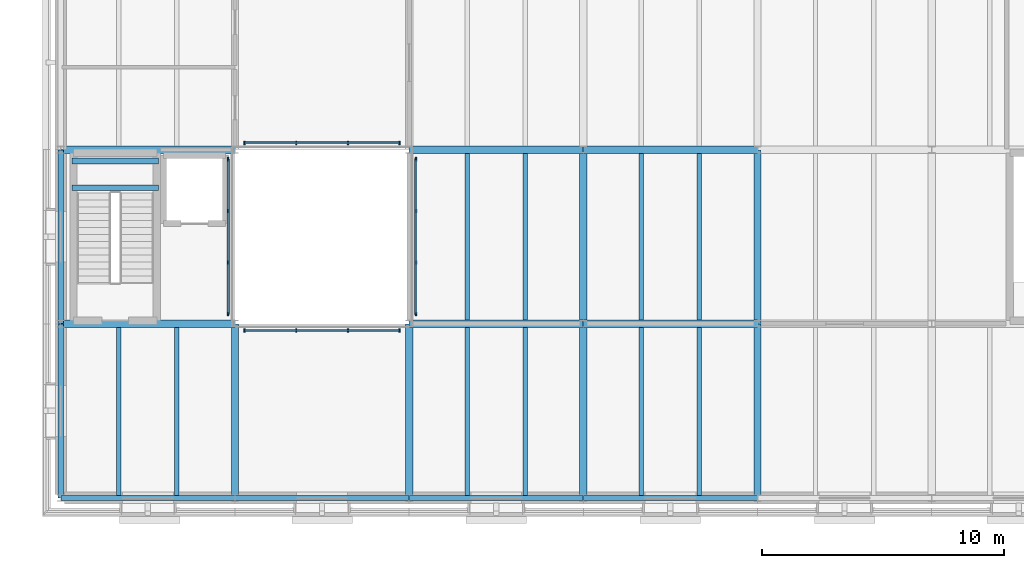
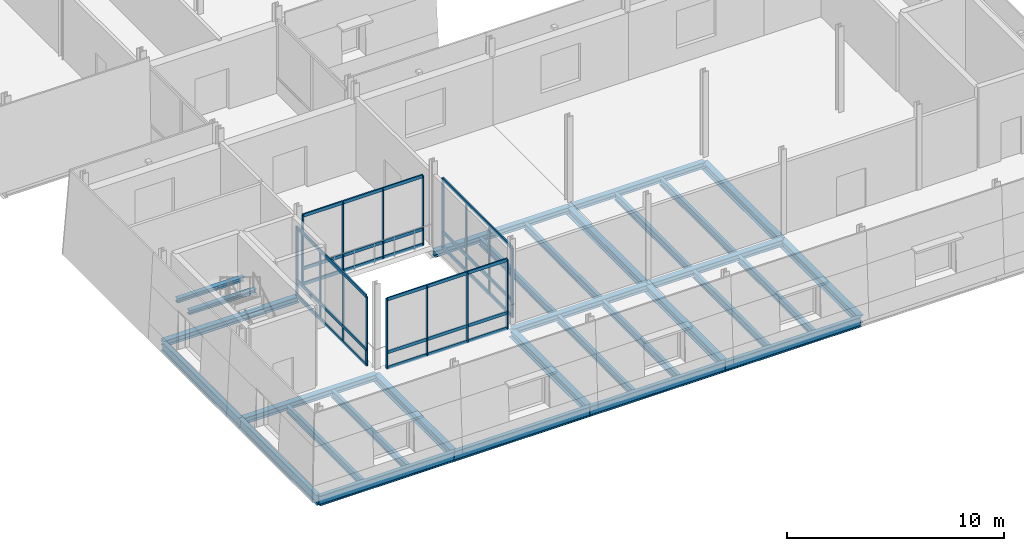
# One storey, part 22 of 121: 30 beams, 28 members, 4 elements without a shape of their own.
"""IFC4 building model written with IfcOpenShell, lengths in metres."""

from ifc_helpers import new_model, si_unit, direction, frame, origin, origin_2d, place, context, subcontext, project, spatial, rectangle, i_section, extrude, material, layer, layer_set, material_profile, profile_set, type_object, element, aggregate, save


model = new_model("IFC4")

# Units and contexts
model_context = context("Model", 3, precision=1e-05, world=origin(), true_north=direction((0.0, 1.0)))
body_context = subcontext(model_context, "Body", "Model", "MODEL_VIEW")
ifc_project = project(units=[si_unit("LENGTHUNIT", "METRE"), si_unit("AREAUNIT", "SQUARE_METRE"), si_unit("VOLUMEUNIT", "CUBIC_METRE"), si_unit("PLANEANGLEUNIT", "RADIAN"), si_unit("MASSUNIT", "GRAM", prefix="KILO")], contexts=[model_context])

# Site, building, storey
site_placement = place(None, origin())
site = spatial("IfcSite", under=ifc_project, at=site_placement, CompositionType="ELEMENT")
building_placement = place(site_placement, origin())
building = spatial("IfcBuilding", under=site, at=building_placement, Name="Narikvali Park Central Library", CompositionType="ELEMENT")
storey_placement = place(building_placement, frame((0.0, 0.0, 5.39990234375)))
storey = spatial("IfcBuildingStorey", under=building, at=storey_placement, Name="L01", CompositionType="ELEMENT", Elevation=5.39990234375)

# Beams
ifc_material_1 = material(Name="Steel S355", Category="steel")
ifc_material_profile_1 = material_profile(ifc_material_1, i_section(OverallWidth=0.179931640625, OverallDepth=0.39990234375, WebThickness=0.008544921875, FlangeThickness=0.013427734375, FilletRadius=0.02099609375, at=origin_2d()), Name="IPE 400")
ifc_profile_set_1 = profile_set([ifc_material_profile_1], Name="Steel S355")
beam_type_1 = type_object("IfcBeamType", Name="Composite Floor Joist IPE400", PredefinedType="JOIST", material=ifc_profile_set_1)
for number, where, z_axis, x_axis, name in (
    (1, (2.39990234375, 0.10498046875, -0.47998046875), (0.0, 1.0, 0.0), (-1.0, 0.0, 0.0), "V2 L01 Composite Joist 1"),
    (2, (4.800048828125, 0.10498046875, -0.47998046875), (0.0, 1.0, 0.0), (-1.0, 0.0, 0.0), "V2 L01 Composite Joist 2"),
    (3, (16.800048828125, 0.10498046875, -0.47998046875), (0.0, 1.0, 0.0), (-1.0, 0.0, 0.0), "V2 L01 Composite Joist 1"),
    (4, (19.199951171875, 0.10498046875, -0.47998046875), (0.0, 1.0, 0.0), (-1.0, 0.0, 0.0), "V2 L01 Composite Joist 2"),
):
    element("IfcBeam", number, at=place(storey_placement, frame(where, z_axis=z_axis, x_axis=x_axis)), inside=storey, type_object=beam_type_1, Name=name, PredefinedType="JOIST", context=body_context, shape_type="SweptSolid", body=[
        extrude(i_section(OverallWidth=0.179931640625, OverallDepth=0.39990234375, WebThickness=0.008544921875, FlangeThickness=0.013427734375, FilletRadius=0.02099609375, at=origin_2d()), origin(), (0.0, 0.0, 1.0), 6.945068359375),
    ])
for number, where, z_axis, x_axis, name in (
    (5, (16.800048828125, 7.35009765625, -0.47998046875), (0.0, 1.0, 0.0), (-1.0, 0.0, 0.0), "V2 L01 Composite Joist 1"),
    (6, (19.199951171875, 7.35009765625, -0.47998046875), (0.0, 1.0, 0.0), (-1.0, 0.0, 0.0), "V2 L01 Composite Joist 2"),
):
    element("IfcBeam", number, at=place(storey_placement, frame(where, z_axis=z_axis, x_axis=x_axis)), inside=storey, type_object=beam_type_1, Name=name, PredefinedType="JOIST", context=body_context, shape_type="SweptSolid", body=[
        extrude(i_section(OverallWidth=0.179931640625, OverallDepth=0.39990234375, WebThickness=0.008544921875, FlangeThickness=0.013427734375, FilletRadius=0.02099609375, at=origin_2d()), origin(), (0.0, 0.0, 1.0), 6.89990234375),
    ])
for number, where, z_axis, x_axis, name in (
    (7, (24.0, 0.10498046875, -0.47998046875), (0.0, 1.0, 0.0), (-1.0, 0.0, 0.0), "V2 L01 Composite Joist 1"),
    (8, (26.39990234375, 0.10498046875, -0.47998046875), (0.0, 1.0, 0.0), (-1.0, 0.0, 0.0), "V2 L01 Composite Joist 2"),
):
    element("IfcBeam", number, at=place(storey_placement, frame(where, z_axis=z_axis, x_axis=x_axis)), inside=storey, type_object=beam_type_1, Name=name, PredefinedType="JOIST", context=body_context, shape_type="SweptSolid", body=[
        extrude(i_section(OverallWidth=0.179931640625, OverallDepth=0.39990234375, WebThickness=0.008544921875, FlangeThickness=0.013427734375, FilletRadius=0.02099609375, at=origin_2d()), origin(), (0.0, 0.0, 1.0), 6.945068359375),
    ])
for number, where, z_axis, x_axis, name in (
    (9, (24.0, 7.35009765625, -0.47998046875), (0.0, 1.0, 0.0), (-1.0, 0.0, 0.0), "V2 L01 Composite Joist 1"),
    (10, (26.39990234375, 7.35009765625, -0.47998046875), (0.0, 1.0, 0.0), (-1.0, 0.0, 0.0), "V2 L01 Composite Joist 2"),
):
    element("IfcBeam", number, at=place(storey_placement, frame(where, z_axis=z_axis, x_axis=x_axis)), inside=storey, type_object=beam_type_1, Name=name, PredefinedType="JOIST", context=body_context, shape_type="SweptSolid", body=[
        extrude(i_section(OverallWidth=0.179931640625, OverallDepth=0.39990234375, WebThickness=0.008544921875, FlangeThickness=0.013427734375, FilletRadius=0.02099609375, at=origin_2d()), origin(), (0.0, 0.0, 1.0), 6.89990234375),
    ])

# Curtain wall, members
ifc_material_2 = material(Name="Anodised Bronze Aluminium", Category="aluminium")
ifc_layer = layer(ifc_material_2, 0.219970703125, Name="Anodised Bronze Aluminium")
ifc_layer_set = layer_set([ifc_layer], Name="Anodised Bronze Aluminium")
curtain_wall_type = type_object("IfcCurtainWallType", Name="Atrium Tall Curtain Wall System", PredefinedType="NOTDEFINED", material=ifc_layer_set)
curtain_wall_1_placement = place(storey_placement, origin())
curtain_wall_1 = element("IfcCurtainWall", 11, at=curtain_wall_1_placement, inside=storey, type_object=curtain_wall_type, Name="Atrium Tall Curtain Wall System CW-INT-V2-L01-W1", PredefinedType="NOTDEFINED")
ifc_material_profile_2 = material_profile(ifc_material_2, rectangle(XDim=0.074951171875, YDim=0.179931640625, at=origin_2d()), Name="CW TRANSOM 75x180")
ifc_profile_set_2 = profile_set([ifc_material_profile_2], Name="Anodised Bronze Aluminium")
member_type_1 = type_object("IfcMemberType", Name="Curtain Wall Heavy Transom 75x180", PredefinedType="USERDEFINED", material=ifc_profile_set_2)
member_1_placement = place(storey_placement, frame((6.919921875, 7.60009765625, 0.030029296875), z_axis=(0.0, 1.0, 0.0), x_axis=(-1.0, 0.0, 0.0)))
member_1 = element("IfcMember", 12, at=member_1_placement, type_object=member_type_1, Name="CW-INT-V2-L01-W1 Transom 00", ObjectType="TRANSOM", PredefinedType="USERDEFINED", context=body_context, shape_type="SweptSolid", body=[
    extrude(rectangle(XDim=0.074951171875, YDim=0.179931640625, at=origin_2d()), origin(), (0.0, 0.0, 1.0), 6.39990234375),
])
member_2_placement = place(storey_placement, frame((6.919921875, 7.60009765625, 0.900146484375), z_axis=(0.0, 1.0, 0.0), x_axis=(-1.0, 0.0, 0.0)))
member_2 = element("IfcMember", 13, at=member_2_placement, type_object=member_type_1, Name="CW-INT-V2-L01-W1 Transom 01", ObjectType="TRANSOM", PredefinedType="USERDEFINED", context=body_context, shape_type="SweptSolid", body=[
    extrude(rectangle(XDim=0.074951171875, YDim=0.179931640625, at=origin_2d()), origin(), (0.0, 0.0, 1.0), 6.39990234375),
])
member_3_placement = place(storey_placement, frame((6.919921875, 7.60009765625, 3.8701171875), z_axis=(0.0, 1.0, 0.0), x_axis=(-1.0, 0.0, 0.0)))
member_3 = element("IfcMember", 14, at=member_3_placement, type_object=member_type_1, Name="CW-INT-V2-L01-W1 Transom 02", ObjectType="TRANSOM", PredefinedType="USERDEFINED", context=body_context, shape_type="SweptSolid", body=[
    extrude(rectangle(XDim=0.074951171875, YDim=0.179931640625, at=origin_2d()), origin(), (0.0, 0.0, 1.0), 6.39990234375),
])

curtain_wall_2_placement = place(storey_placement, origin())
curtain_wall_2 = element("IfcCurtainWall", 15, at=curtain_wall_2_placement, inside=storey, type_object=curtain_wall_type, Name="Atrium Tall Curtain Wall System CW-INT-V2-L01-E1", PredefinedType="NOTDEFINED")
member_4_placement = place(storey_placement, frame((14.679931640625, 7.60009765625, 0.030029296875), z_axis=(0.0, 1.0, 0.0), x_axis=(-1.0, 0.0, 0.0)))
member_4 = element("IfcMember", 16, at=member_4_placement, type_object=member_type_1, Name="CW-INT-V2-L01-E1 Transom 00", ObjectType="TRANSOM", PredefinedType="USERDEFINED", context=body_context, shape_type="SweptSolid", body=[
    extrude(rectangle(XDim=0.074951171875, YDim=0.179931640625, at=origin_2d()), origin(), (0.0, 0.0, 1.0), 6.39990234375),
])
member_5_placement = place(storey_placement, frame((14.679931640625, 7.60009765625, 0.900146484375), z_axis=(0.0, 1.0, 0.0), x_axis=(-1.0, 0.0, 0.0)))
member_5 = element("IfcMember", 17, at=member_5_placement, type_object=member_type_1, Name="CW-INT-V2-L01-E1 Transom 01", ObjectType="TRANSOM", PredefinedType="USERDEFINED", context=body_context, shape_type="SweptSolid", body=[
    extrude(rectangle(XDim=0.074951171875, YDim=0.179931640625, at=origin_2d()), origin(), (0.0, 0.0, 1.0), 6.39990234375),
])
member_6_placement = place(storey_placement, frame((14.679931640625, 7.60009765625, 3.8701171875), z_axis=(0.0, 1.0, 0.0), x_axis=(-1.0, 0.0, 0.0)))
member_6 = element("IfcMember", 18, at=member_6_placement, type_object=member_type_1, Name="CW-INT-V2-L01-E1 Transom 02", ObjectType="TRANSOM", PredefinedType="USERDEFINED", context=body_context, shape_type="SweptSolid", body=[
    extrude(rectangle(XDim=0.074951171875, YDim=0.179931640625, at=origin_2d()), origin(), (0.0, 0.0, 1.0), 6.39990234375),
])

curtain_wall_3_placement = place(storey_placement, origin())
curtain_wall_3 = element("IfcCurtainWall", 19, at=curtain_wall_3_placement, inside=storey, type_object=curtain_wall_type, Name="Atrium Tall Curtain Wall System CW-INT-V2-L01-N1", PredefinedType="NOTDEFINED")
member_7_placement = place(storey_placement, frame((7.60009765625, 14.679931640625, 0.030029296875), z_axis=(1.0, 0.0, 0.0), x_axis=(0.0, 1.0, 0.0)))
member_7 = element("IfcMember", 20, at=member_7_placement, type_object=member_type_1, Name="CW-INT-V2-L01-N1 Transom 00", ObjectType="TRANSOM", PredefinedType="USERDEFINED", context=body_context, shape_type="SweptSolid", body=[
    extrude(rectangle(XDim=0.074951171875, YDim=0.179931640625, at=origin_2d()), origin(), (0.0, 0.0, 1.0), 6.39990234375),
])
member_8_placement = place(storey_placement, frame((7.60009765625, 14.679931640625, 0.900146484375), z_axis=(1.0, 0.0, 0.0), x_axis=(0.0, 1.0, 0.0)))
member_8 = element("IfcMember", 21, at=member_8_placement, type_object=member_type_1, Name="CW-INT-V2-L01-N1 Transom 01", ObjectType="TRANSOM", PredefinedType="USERDEFINED", context=body_context, shape_type="SweptSolid", body=[
    extrude(rectangle(XDim=0.074951171875, YDim=0.179931640625, at=origin_2d()), origin(), (0.0, 0.0, 1.0), 6.39990234375),
])
member_9_placement = place(storey_placement, frame((7.60009765625, 14.679931640625, 3.8701171875), z_axis=(1.0, 0.0, 0.0), x_axis=(0.0, 1.0, 0.0)))
member_9 = element("IfcMember", 22, at=member_9_placement, type_object=member_type_1, Name="CW-INT-V2-L01-N1 Transom 02", ObjectType="TRANSOM", PredefinedType="USERDEFINED", context=body_context, shape_type="SweptSolid", body=[
    extrude(rectangle(XDim=0.074951171875, YDim=0.179931640625, at=origin_2d()), origin(), (0.0, 0.0, 1.0), 6.39990234375),
])

curtain_wall_4_placement = place(storey_placement, origin())
curtain_wall_4 = element("IfcCurtainWall", 23, at=curtain_wall_4_placement, inside=storey, type_object=curtain_wall_type, Name="Atrium Tall Curtain Wall System CW-INT-V2-L01-S1", PredefinedType="NOTDEFINED")
member_10_placement = place(storey_placement, frame((7.60009765625, 6.919921875, 0.030029296875), z_axis=(1.0, 0.0, 0.0), x_axis=(0.0, 1.0, 0.0)))
member_10 = element("IfcMember", 24, at=member_10_placement, type_object=member_type_1, Name="CW-INT-V2-L01-S1 Transom 00", ObjectType="TRANSOM", PredefinedType="USERDEFINED", context=body_context, shape_type="SweptSolid", body=[
    extrude(rectangle(XDim=0.074951171875, YDim=0.179931640625, at=origin_2d()), origin(), (0.0, 0.0, 1.0), 6.39990234375),
])
member_11_placement = place(storey_placement, frame((7.60009765625, 6.919921875, 0.900146484375), z_axis=(1.0, 0.0, 0.0), x_axis=(0.0, 1.0, 0.0)))
member_11 = element("IfcMember", 25, at=member_11_placement, type_object=member_type_1, Name="CW-INT-V2-L01-S1 Transom 01", ObjectType="TRANSOM", PredefinedType="USERDEFINED", context=body_context, shape_type="SweptSolid", body=[
    extrude(rectangle(XDim=0.074951171875, YDim=0.179931640625, at=origin_2d()), origin(), (0.0, 0.0, 1.0), 6.39990234375),
])
member_12_placement = place(storey_placement, frame((7.60009765625, 6.919921875, 3.8701171875), z_axis=(1.0, 0.0, 0.0), x_axis=(0.0, 1.0, 0.0)))
member_12 = element("IfcMember", 26, at=member_12_placement, type_object=member_type_1, Name="CW-INT-V2-L01-S1 Transom 02", ObjectType="TRANSOM", PredefinedType="USERDEFINED", context=body_context, shape_type="SweptSolid", body=[
    extrude(rectangle(XDim=0.074951171875, YDim=0.179931640625, at=origin_2d()), origin(), (0.0, 0.0, 1.0), 6.39990234375),
])

# Member
ifc_material_profile_3 = material_profile(ifc_material_2, rectangle(XDim=0.06005859375, YDim=0.14990234375, at=origin_2d()), Name="CW MULLION 60x150")
ifc_profile_set_3 = profile_set([ifc_material_profile_3], Name="Anodised Bronze Aluminium")
member_type_2 = type_object("IfcMemberType", Name="Curtain Wall Mullion 60x150", PredefinedType="MULLION", material=ifc_profile_set_3)
member_13_placement = place(storey_placement, frame((6.919921875, 7.60009765625, -0.010009765625), z_axis=(0.0, 0.0, 1.0), x_axis=(1.0, 0.0, 0.0)))
member_13 = element("IfcMember", 27, at=member_13_placement, type_object=member_type_2, Name="CW-INT-V2-L01-W1 Mullion 00", PredefinedType="MULLION", context=body_context, shape_type="SweptSolid", body=[
    extrude(rectangle(XDim=0.06005859375, YDim=0.14990234375, at=origin_2d()), origin(), (0.0, 0.0, 1.0), 3.91015625),
])

member_14_placement = place(storey_placement, frame((6.919921875, 9.7333984375, -0.010009765625), z_axis=(0.0, 0.0, 1.0), x_axis=(1.0, 0.0, 0.0)))
member_14 = element("IfcMember", 28, at=member_14_placement, type_object=member_type_2, Name="CW-INT-V2-L01-W1 Mullion 01", PredefinedType="MULLION", context=body_context, shape_type="SweptSolid", body=[
    extrude(rectangle(XDim=0.06005859375, YDim=0.14990234375, at=origin_2d()), origin(), (0.0, 0.0, 1.0), 3.91015625),
])

member_15_placement = place(storey_placement, frame((6.919921875, 11.86669921875, -0.010009765625), z_axis=(0.0, 0.0, 1.0), x_axis=(1.0, 0.0, 0.0)))
member_15 = element("IfcMember", 29, at=member_15_placement, type_object=member_type_2, Name="CW-INT-V2-L01-W1 Mullion 02", PredefinedType="MULLION", context=body_context, shape_type="SweptSolid", body=[
    extrude(rectangle(XDim=0.06005859375, YDim=0.14990234375, at=origin_2d()), origin(), (0.0, 0.0, 1.0), 3.91015625),
])

member_16_placement = place(storey_placement, frame((6.919921875, 14.0, -0.010009765625), z_axis=(0.0, 0.0, 1.0), x_axis=(1.0, 0.0, 0.0)))
member_16 = element("IfcMember", 30, at=member_16_placement, type_object=member_type_2, Name="CW-INT-V2-L01-W1 Mullion 03", PredefinedType="MULLION", context=body_context, shape_type="SweptSolid", body=[
    extrude(rectangle(XDim=0.06005859375, YDim=0.14990234375, at=origin_2d()), origin(), (0.0, 0.0, 1.0), 3.91015625),
])

aggregate(curtain_wall_1, [member_13, member_14, member_15, member_16, member_1, member_2, member_3])

member_17_placement = place(storey_placement, frame((14.679931640625, 7.60009765625, -0.010009765625), z_axis=(0.0, 0.0, 1.0), x_axis=(1.0, 0.0, 0.0)))
member_17 = element("IfcMember", 31, at=member_17_placement, type_object=member_type_2, Name="CW-INT-V2-L01-E1 Mullion 00", PredefinedType="MULLION", context=body_context, shape_type="SweptSolid", body=[
    extrude(rectangle(XDim=0.06005859375, YDim=0.14990234375, at=origin_2d()), origin(), (0.0, 0.0, 1.0), 3.91015625),
])

member_18_placement = place(storey_placement, frame((14.679931640625, 9.7333984375, -0.010009765625), z_axis=(0.0, 0.0, 1.0), x_axis=(1.0, 0.0, 0.0)))
member_18 = element("IfcMember", 32, at=member_18_placement, type_object=member_type_2, Name="CW-INT-V2-L01-E1 Mullion 01", PredefinedType="MULLION", context=body_context, shape_type="SweptSolid", body=[
    extrude(rectangle(XDim=0.06005859375, YDim=0.14990234375, at=origin_2d()), origin(), (0.0, 0.0, 1.0), 3.91015625),
])

member_19_placement = place(storey_placement, frame((14.679931640625, 11.86669921875, -0.010009765625), z_axis=(0.0, 0.0, 1.0), x_axis=(1.0, 0.0, 0.0)))
member_19 = element("IfcMember", 33, at=member_19_placement, type_object=member_type_2, Name="CW-INT-V2-L01-E1 Mullion 02", PredefinedType="MULLION", context=body_context, shape_type="SweptSolid", body=[
    extrude(rectangle(XDim=0.06005859375, YDim=0.14990234375, at=origin_2d()), origin(), (0.0, 0.0, 1.0), 3.91015625),
])

member_20_placement = place(storey_placement, frame((14.679931640625, 14.0, -0.010009765625), z_axis=(0.0, 0.0, 1.0), x_axis=(1.0, 0.0, 0.0)))
member_20 = element("IfcMember", 34, at=member_20_placement, type_object=member_type_2, Name="CW-INT-V2-L01-E1 Mullion 03", PredefinedType="MULLION", context=body_context, shape_type="SweptSolid", body=[
    extrude(rectangle(XDim=0.06005859375, YDim=0.14990234375, at=origin_2d()), origin(), (0.0, 0.0, 1.0), 3.91015625),
])

aggregate(curtain_wall_2, [member_17, member_18, member_19, member_20, member_4, member_5, member_6])

member_21_placement = place(storey_placement, frame((7.60009765625, 14.679931640625, -0.010009765625), z_axis=(0.0, 0.0, 1.0), x_axis=(1.0, 0.0, 0.0)))
member_21 = element("IfcMember", 35, at=member_21_placement, type_object=member_type_2, Name="CW-INT-V2-L01-N1 Mullion 00", PredefinedType="MULLION", context=body_context, shape_type="SweptSolid", body=[
    extrude(rectangle(XDim=0.06005859375, YDim=0.14990234375, at=origin_2d()), origin(), (0.0, 0.0, 1.0), 3.91015625),
])

member_22_placement = place(storey_placement, frame((9.7333984375, 14.679931640625, -0.010009765625), z_axis=(0.0, 0.0, 1.0), x_axis=(1.0, 0.0, 0.0)))
member_22 = element("IfcMember", 36, at=member_22_placement, type_object=member_type_2, Name="CW-INT-V2-L01-N1 Mullion 01", PredefinedType="MULLION", context=body_context, shape_type="SweptSolid", body=[
    extrude(rectangle(XDim=0.06005859375, YDim=0.14990234375, at=origin_2d()), origin(), (0.0, 0.0, 1.0), 3.91015625),
])

member_23_placement = place(storey_placement, frame((11.86669921875, 14.679931640625, -0.010009765625), z_axis=(0.0, 0.0, 1.0), x_axis=(1.0, 0.0, 0.0)))
member_23 = element("IfcMember", 37, at=member_23_placement, type_object=member_type_2, Name="CW-INT-V2-L01-N1 Mullion 02", PredefinedType="MULLION", context=body_context, shape_type="SweptSolid", body=[
    extrude(rectangle(XDim=0.06005859375, YDim=0.14990234375, at=origin_2d()), origin(), (0.0, 0.0, 1.0), 3.91015625),
])

member_24_placement = place(storey_placement, frame((14.0, 14.679931640625, -0.010009765625), z_axis=(0.0, 0.0, 1.0), x_axis=(1.0, 0.0, 0.0)))
member_24 = element("IfcMember", 38, at=member_24_placement, type_object=member_type_2, Name="CW-INT-V2-L01-N1 Mullion 03", PredefinedType="MULLION", context=body_context, shape_type="SweptSolid", body=[
    extrude(rectangle(XDim=0.06005859375, YDim=0.14990234375, at=origin_2d()), origin(), (0.0, 0.0, 1.0), 3.91015625),
])

aggregate(curtain_wall_3, [member_21, member_22, member_23, member_24, member_7, member_8, member_9])

member_25_placement = place(storey_placement, frame((7.60009765625, 6.919921875, -0.010009765625), z_axis=(0.0, 0.0, 1.0), x_axis=(1.0, 0.0, 0.0)))
member_25 = element("IfcMember", 39, at=member_25_placement, type_object=member_type_2, Name="CW-INT-V2-L01-S1 Mullion 00", PredefinedType="MULLION", context=body_context, shape_type="SweptSolid", body=[
    extrude(rectangle(XDim=0.06005859375, YDim=0.14990234375, at=origin_2d()), origin(), (0.0, 0.0, 1.0), 3.91015625),
])

member_26_placement = place(storey_placement, frame((9.7333984375, 6.919921875, -0.010009765625), z_axis=(0.0, 0.0, 1.0), x_axis=(1.0, 0.0, 0.0)))
member_26 = element("IfcMember", 40, at=member_26_placement, type_object=member_type_2, Name="CW-INT-V2-L01-S1 Mullion 01", PredefinedType="MULLION", context=body_context, shape_type="SweptSolid", body=[
    extrude(rectangle(XDim=0.06005859375, YDim=0.14990234375, at=origin_2d()), origin(), (0.0, 0.0, 1.0), 3.91015625),
])

member_27_placement = place(storey_placement, frame((11.86669921875, 6.919921875, -0.010009765625), z_axis=(0.0, 0.0, 1.0), x_axis=(1.0, 0.0, 0.0)))
member_27 = element("IfcMember", 41, at=member_27_placement, type_object=member_type_2, Name="CW-INT-V2-L01-S1 Mullion 02", PredefinedType="MULLION", context=body_context, shape_type="SweptSolid", body=[
    extrude(rectangle(XDim=0.06005859375, YDim=0.14990234375, at=origin_2d()), origin(), (0.0, 0.0, 1.0), 3.91015625),
])

member_28_placement = place(storey_placement, frame((14.0, 6.919921875, -0.010009765625), z_axis=(0.0, 0.0, 1.0), x_axis=(1.0, 0.0, 0.0)))
member_28 = element("IfcMember", 42, at=member_28_placement, type_object=member_type_2, Name="CW-INT-V2-L01-S1 Mullion 03", PredefinedType="MULLION", context=body_context, shape_type="SweptSolid", body=[
    extrude(rectangle(XDim=0.06005859375, YDim=0.14990234375, at=origin_2d()), origin(), (0.0, 0.0, 1.0), 3.91015625),
])

aggregate(curtain_wall_4, [member_25, member_26, member_27, member_28, member_10, member_11, member_12])

# Beams
ifc_material_profile_4 = material_profile(ifc_material_1, i_section(OverallWidth=0.300048828125, OverallDepth=0.340087890625, WebThickness=0.011962890625, FlangeThickness=0.021484375, FilletRadius=0.027099609375, at=origin_2d()), Name="HEB 340")
ifc_profile_set_4 = profile_set([ifc_material_profile_4], Name="Steel S355")
beam_type_2 = type_object("IfcBeamType", Name="Pavilion Interior Girder HEB340", PredefinedType="BEAM", material=ifc_profile_set_4)
beam_1_placement = place(storey_placement, frame((0.008056640625, 7.199951171875, -0.449951171875), z_axis=(1.0, 0.0, 0.0), x_axis=(0.0, 1.0, 0.0)))
element("IfcBeam", 43, at=beam_1_placement, inside=storey, type_object=beam_type_2, Name="V2 L01 Girder X", PredefinedType="BEAM", context=body_context, shape_type="SweptSolid", body=[
    extrude(i_section(OverallWidth=0.300048828125, OverallDepth=0.340087890625, WebThickness=0.011962890625, FlangeThickness=0.021484375, FilletRadius=0.027099609375, at=origin_2d()), origin(), (0.0, 0.0, 1.0), 7.183837890625),
])
for number, where, z_axis, x_axis, name in (
    (44, (14.407958984375, 7.199951171875, -0.449951171875), (1.0, 0.0, 0.0), (0.0, 1.0, 0.0), "V2 L01 Girder X"),
    (45, (21.60791015625, 7.199951171875, -0.449951171875), (1.0, 0.0, 0.0), (0.0, 1.0, 0.0), "V2 L01 Girder X"),
):
    element("IfcBeam", number, at=place(storey_placement, frame(where, z_axis=z_axis, x_axis=x_axis)), inside=storey, type_object=beam_type_2, Name=name, PredefinedType="BEAM", context=body_context, shape_type="SweptSolid", body=[
        extrude(i_section(OverallWidth=0.300048828125, OverallDepth=0.340087890625, WebThickness=0.011962890625, FlangeThickness=0.021484375, FilletRadius=0.027099609375, at=origin_2d()), origin(), (0.0, 0.0, 1.0), 7.18408203125),
    ])
ifc_material_profile_5 = material_profile(ifc_material_1, i_section(OverallWidth=0.2099609375, OverallDepth=0.550048828125, WebThickness=0.010986328125, FlangeThickness=0.01708984375, FilletRadius=0.02392578125, at=origin_2d()), Name="IPE 550")
ifc_profile_set_5 = profile_set([ifc_material_profile_5], Name="Steel S355")
beam_type_3 = type_object("IfcBeamType", Name="Perimeter Spandrel IPE550", PredefinedType="SPANDREL", material=ifc_profile_set_5)
beam_2_placement = place(storey_placement, frame((0.008056640625, 0.0, -0.554931640625), z_axis=(1.0, 0.0, 0.0), x_axis=(0.0, 1.0, 0.0)))
element("IfcBeam", 46, at=beam_2_placement, inside=storey, type_object=beam_type_3, Name="V2 L01 Girder X", PredefinedType="SPANDREL", context=body_context, shape_type="SweptSolid", body=[
    extrude(i_section(OverallWidth=0.2099609375, OverallDepth=0.550048828125, WebThickness=0.010986328125, FlangeThickness=0.01708984375, FilletRadius=0.02392578125, at=origin_2d()), origin(), (0.0, 0.0, 1.0), 7.183837890625),
])
for number, where, z_axis, x_axis, name in (
    (47, (7.2080078125, 0.0, -0.554931640625), (1.0, 0.0, 0.0), (0.0, 1.0, 0.0), "V2 L01 Girder X"),
    (48, (14.407958984375, 0.0, -0.554931640625), (1.0, 0.0, 0.0), (0.0, 1.0, 0.0), "V2 L01 Girder X"),
    (49, (21.60791015625, 0.0, -0.554931640625), (1.0, 0.0, 0.0), (0.0, 1.0, 0.0), "V2 L01 Girder X"),
):
    element("IfcBeam", number, at=place(storey_placement, frame(where, z_axis=z_axis, x_axis=x_axis)), inside=storey, type_object=beam_type_3, Name=name, PredefinedType="SPANDREL", context=body_context, shape_type="SweptSolid", body=[
        extrude(i_section(OverallWidth=0.2099609375, OverallDepth=0.550048828125, WebThickness=0.010986328125, FlangeThickness=0.01708984375, FilletRadius=0.02392578125, at=origin_2d()), origin(), (0.0, 0.0, 1.0), 7.18408203125),
    ])
beam_3_placement = place(storey_placement, frame((0.0, 0.008056640625, -0.554931640625), z_axis=(0.0, 1.0, 0.0), x_axis=(-1.0, 0.0, 0.0)))
element("IfcBeam", 50, at=beam_3_placement, inside=storey, type_object=beam_type_3, Name="V2 L01 Girder Y", PredefinedType="SPANDREL", context=body_context, shape_type="SweptSolid", body=[
    extrude(i_section(OverallWidth=0.2099609375, OverallDepth=0.550048828125, WebThickness=0.010986328125, FlangeThickness=0.01708984375, FilletRadius=0.02392578125, at=origin_2d()), origin(), (0.0, 0.0, 1.0), 7.183837890625),
])
beam_4_placement = place(storey_placement, frame((0.0, 7.2080078125, -0.554931640625), z_axis=(0.0, 1.0, 0.0), x_axis=(-1.0, 0.0, 0.0)))
element("IfcBeam", 51, at=beam_4_placement, inside=storey, type_object=beam_type_3, Name="V2 L01 Girder Y", PredefinedType="SPANDREL", context=body_context, shape_type="SweptSolid", body=[
    extrude(i_section(OverallWidth=0.2099609375, OverallDepth=0.550048828125, WebThickness=0.010986328125, FlangeThickness=0.01708984375, FilletRadius=0.02392578125, at=origin_2d()), origin(), (0.0, 0.0, 1.0), 7.18408203125),
])
ifc_material_profile_6 = material_profile(ifc_material_1, i_section(OverallWidth=0.239990234375, OverallDepth=0.22998046875, WebThickness=0.007568359375, FlangeThickness=0.011962890625, FilletRadius=0.02099609375, at=origin_2d()), Name="HEA 240")
ifc_profile_set_6 = profile_set([ifc_material_profile_6], Name="Steel S355")
beam_type_4 = type_object("IfcBeamType", Name="Primary Girder HEA240", PredefinedType="BEAM", material=ifc_profile_set_6)
for number, where, z_axis, x_axis, name in (
    (52, (0.469970703125, 12.824951171875, 2.085205078125), (1.0, 0.0, 0.0), (0.0, 1.0, 0.0), "ST-03 L01 Landing Trimmer Beam 1-1"),
    (53, (0.469970703125, 13.929931640625, 2.085205078125), (1.0, 0.0, 0.0), (0.0, 1.0, 0.0), "ST-03 L01 Landing Trimmer Beam 1-2"),
):
    element("IfcBeam", number, at=place(storey_placement, frame(where, z_axis=z_axis, x_axis=x_axis)), inside=storey, type_object=beam_type_4, Name=name, PredefinedType="BEAM", context=body_context, shape_type="SweptSolid", body=[
        extrude(i_section(OverallWidth=0.239990234375, OverallDepth=0.22998046875, WebThickness=0.007568359375, FlangeThickness=0.011962890625, FilletRadius=0.02099609375, at=origin_2d()), origin(), (0.0, 0.0, 1.0), 3.56005859375),
    ])
ifc_material_profile_7 = material_profile(ifc_material_1, i_section(OverallWidth=0.300048828125, OverallDepth=0.330078125, WebThickness=0.009521484375, FlangeThickness=0.0166015625, FilletRadius=0.027099609375, at=origin_2d()), Name="HEA 340")
ifc_profile_set_7 = profile_set([ifc_material_profile_7], Name="Steel S355")
beam_type_5 = type_object("IfcBeamType", Name="Primary Girder HEA340", PredefinedType="BEAM", material=ifc_profile_set_7)
beam_5_placement = place(storey_placement, frame((0.008056640625, 14.39990234375, -0.44482421875), z_axis=(1.0, 0.0, 0.0), x_axis=(0.0, 1.0, 0.0)))
element("IfcBeam", 54, at=beam_5_placement, inside=storey, type_object=beam_type_5, Name="V2 L01 Girder X", PredefinedType="BEAM", context=body_context, shape_type="SweptSolid", body=[
    extrude(i_section(OverallWidth=0.300048828125, OverallDepth=0.330078125, WebThickness=0.009521484375, FlangeThickness=0.0166015625, FilletRadius=0.027099609375, at=origin_2d()), origin(), (0.0, 0.0, 1.0), 7.183837890625),
])
for number, where, z_axis, x_axis, name in (
    (55, (14.407958984375, 14.39990234375, -0.44482421875), (1.0, 0.0, 0.0), (0.0, 1.0, 0.0), "V2 L01 Girder X"),
    (56, (21.60791015625, 14.39990234375, -0.44482421875), (1.0, 0.0, 0.0), (0.0, 1.0, 0.0), "V2 L01 Girder X"),
):
    element("IfcBeam", number, at=place(storey_placement, frame(where, z_axis=z_axis, x_axis=x_axis)), inside=storey, type_object=beam_type_5, Name=name, PredefinedType="BEAM", context=body_context, shape_type="SweptSolid", body=[
        extrude(i_section(OverallWidth=0.300048828125, OverallDepth=0.330078125, WebThickness=0.009521484375, FlangeThickness=0.0166015625, FilletRadius=0.027099609375, at=origin_2d()), origin(), (0.0, 0.0, 1.0), 7.18408203125),
    ])
ifc_material_profile_8 = material_profile(ifc_material_1, i_section(OverallWidth=0.300048828125, OverallDepth=0.43994140625, WebThickness=0.011474609375, FlangeThickness=0.02099609375, FilletRadius=0.027099609375, at=origin_2d()), Name="HEA 450")
ifc_profile_set_8 = profile_set([ifc_material_profile_8], Name="Steel S355")
beam_type_6 = type_object("IfcBeamType", Name="Primary Girder HEA450", PredefinedType="BEAM", material=ifc_profile_set_8)
for number, where, z_axis, x_axis, name in (
    (57, (7.199951171875, 0.008056640625, -0.5), (0.0, 1.0, 0.0), (-1.0, 0.0, 0.0), "V2 L01 Girder Y"),
    (58, (14.39990234375, 0.008056640625, -0.5), (0.0, 1.0, 0.0), (-1.0, 0.0, 0.0), "V2 L01 Girder Y"),
    (59, (21.60009765625, 0.008056640625, -0.5), (0.0, 1.0, 0.0), (-1.0, 0.0, 0.0), "V2 L01 Girder Y"),
):
    element("IfcBeam", number, at=place(storey_placement, frame(where, z_axis=z_axis, x_axis=x_axis)), inside=storey, type_object=beam_type_6, Name=name, PredefinedType="BEAM", context=body_context, shape_type="SweptSolid", body=[
        extrude(i_section(OverallWidth=0.300048828125, OverallDepth=0.43994140625, WebThickness=0.011474609375, FlangeThickness=0.02099609375, FilletRadius=0.027099609375, at=origin_2d()), origin(), (0.0, 0.0, 1.0), 7.183837890625),
    ])
beam_6_placement = place(storey_placement, frame((21.60009765625, 7.2080078125, -0.5), z_axis=(0.0, 1.0, 0.0), x_axis=(-1.0, 0.0, 0.0)))
element("IfcBeam", 60, at=beam_6_placement, inside=storey, type_object=beam_type_6, Name="V2 L01 Girder Y", PredefinedType="BEAM", context=body_context, shape_type="SweptSolid", body=[
    extrude(i_section(OverallWidth=0.300048828125, OverallDepth=0.43994140625, WebThickness=0.011474609375, FlangeThickness=0.02099609375, FilletRadius=0.027099609375, at=origin_2d()), origin(), (0.0, 0.0, 1.0), 7.18408203125),
])
beam_7_placement = place(storey_placement, frame((28.800048828125, 0.008056640625, -0.5), z_axis=(0.0, 1.0, 0.0), x_axis=(-1.0, 0.0, 0.0)))
element("IfcBeam", 61, at=beam_7_placement, inside=storey, type_object=beam_type_6, Name="V2 L01 Girder Y", PredefinedType="BEAM", context=body_context, shape_type="SweptSolid", body=[
    extrude(i_section(OverallWidth=0.300048828125, OverallDepth=0.43994140625, WebThickness=0.011474609375, FlangeThickness=0.02099609375, FilletRadius=0.027099609375, at=origin_2d()), origin(), (0.0, 0.0, 1.0), 7.183837890625),
])
beam_8_placement = place(storey_placement, frame((28.800048828125, 7.2080078125, -0.5), z_axis=(0.0, 1.0, 0.0), x_axis=(-1.0, 0.0, 0.0)))
element("IfcBeam", 62, at=beam_8_placement, inside=storey, type_object=beam_type_6, Name="V2 L01 Girder Y", PredefinedType="BEAM", context=body_context, shape_type="SweptSolid", body=[
    extrude(i_section(OverallWidth=0.300048828125, OverallDepth=0.43994140625, WebThickness=0.011474609375, FlangeThickness=0.02099609375, FilletRadius=0.027099609375, at=origin_2d()), origin(), (0.0, 0.0, 1.0), 7.18408203125),
])

save(model, "model.ifc")
